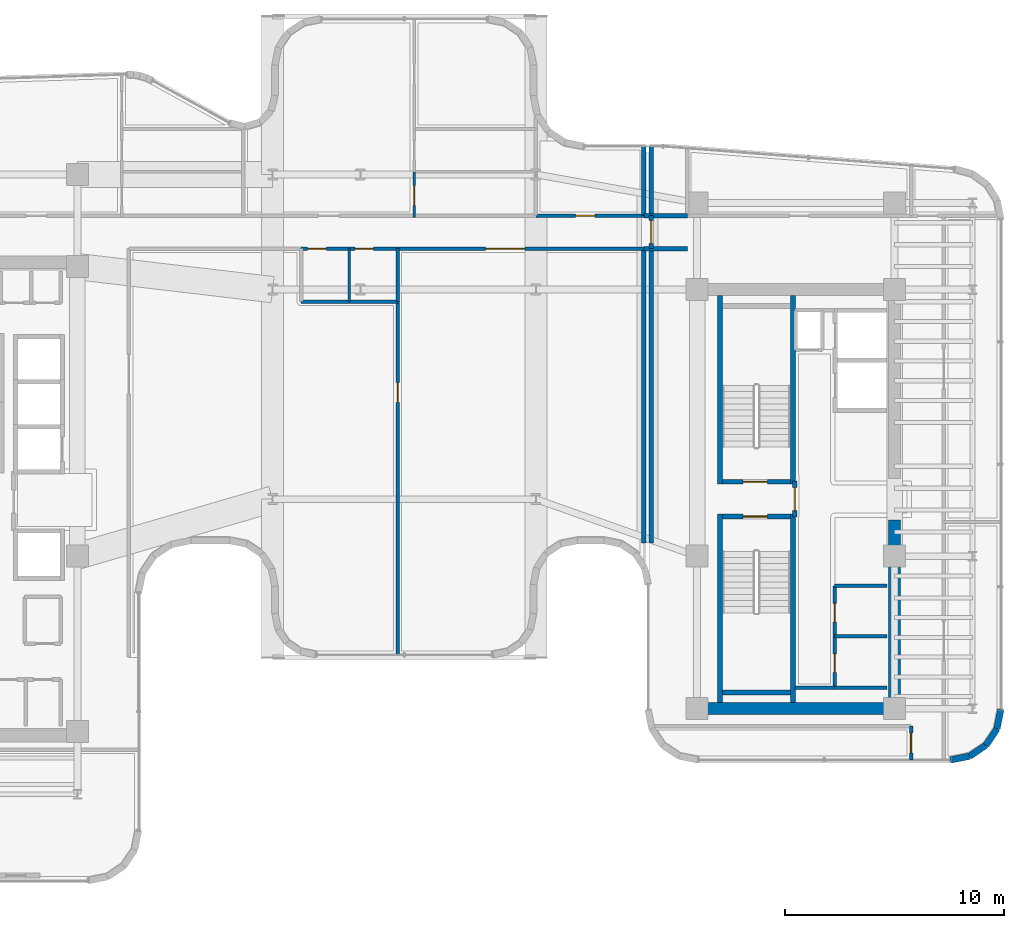
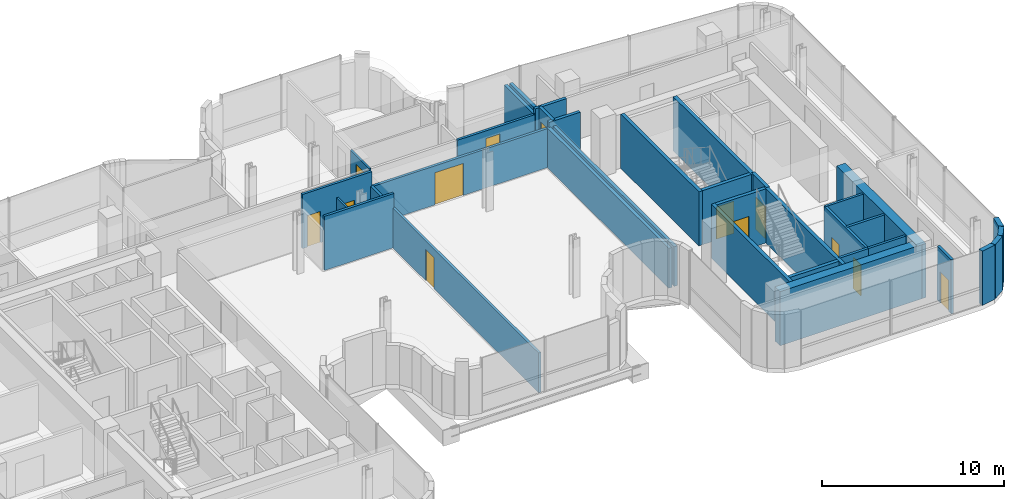
# One storey, part 30 of 39: 35 walls, 13 doors, 13 openings.
"""IFC4 building model written with IfcOpenShell, lengths in metres."""

from ifc_helpers import new_model, si_unit, direction, frame, frame_2d, origin, place, context, subcontext, project, spatial, rectangle, extrude, material, layer, layer_set, type_object, element, fill, save


model = new_model("IFC4")

# Units and contexts
model_context = context("Model", 3, precision=1e-05, world=origin(), true_north=direction((0.0, 1.0)))
body_context = subcontext(model_context, "Body", "Model", "MODEL_VIEW")
ifc_project = project(units=[si_unit("LENGTHUNIT", "METRE"), si_unit("AREAUNIT", "SQUARE_METRE"), si_unit("VOLUMEUNIT", "CUBIC_METRE"), si_unit("PLANEANGLEUNIT", "RADIAN"), si_unit("MASSUNIT", "GRAM", prefix="KILO")], contexts=[model_context])

# Site, building, storey
site_placement = place(None, origin())
site = spatial("IfcSite", under=ifc_project, at=site_placement, CompositionType="ELEMENT")
building_placement = place(site_placement, origin())
building = spatial("IfcBuilding", under=site, at=building_placement, Name="Valdorenza Pilgrim Sanctuary Tower", CompositionType="ELEMENT")
storey_placement = place(building_placement, frame((0.0, 0.0, 184.449951171875)))
storey = spatial("IfcBuildingStorey", under=building, at=storey_placement, Name="L47", CompositionType="ELEMENT", Elevation=184.449951171875)

# Wall
ifc_material_1 = material(Name="Acoustic twin-stud gypsum partition", Category="gypsum")
ifc_layer_1 = layer(ifc_material_1, 0.159912109375, Name="Acoustic twin-stud gypsum partition")
ifc_layer_set_1 = layer_set([ifc_layer_1], Name="Acoustic twin-stud gypsum partition")
wall_type_1 = type_object("IfcWallType", Name="WAL-COR-160", PredefinedType="PARTITIONING", material=ifc_layer_set_1)
wall_1_placement = place(storey_placement, frame((20.300048828125, -8.60009765625, 0.0), z_axis=(0.0, 0.0, 1.0), x_axis=(1.0, 0.0, 0.0)))
element("IfcWall", 1, at=wall_1_placement, inside=storey, type_object=wall_type_1, Name="L47 Core B Lift Hall South End Wall", PredefinedType="PARTITIONING", context=body_context, shape_type="SweptSolid", body=[
    extrude(rectangle(XDim=1.820068359375, YDim=0.159912109375, at=frame_2d((0.91015625, 0.0))), origin(), (0.0, 0.0, 1.0), 3.630126953125),
])

# Wall, openings, doors
wall_2_placement = place(storey_placement, frame((22.1201171875, -8.60009765625, 0.0), z_axis=(0.0, 0.0, 1.0), x_axis=(0.0, 1.0, 0.0)))
wall_2 = element("IfcWall", 2, at=wall_2_placement, inside=storey, type_object=wall_type_1, Name="L47 Core B Freed Shaft West Wall", PredefinedType="PARTITIONING", context=body_context, shape_type="SweptSolid", body=[
    extrude(rectangle(XDim=4.650146484375, YDim=0.159912109375, at=frame_2d((2.3251953125, 0.0))), origin(), (0.0, 0.0, 1.0), 3.630126953125),
])
opening_1_placement = place(wall_2_placement, frame((0.699951171875, 0.0, 0.0)))
opening_1 = element("IfcOpeningElement", 3, at=opening_1_placement, cuts=wall_2, Name="Opening DR-RS1", PredefinedType="OPENING", context=body_context, shape_type="SweptSolid", body=[
    extrude(rectangle(XDim=0.85009765625, YDim=2.050048828125, at=frame_2d((0.425048828125, 1.02490234375))), frame((0.0, 0.0947265625, 0.0), z_axis=(0.0, -1.0, 0.0), x_axis=(1.0, 0.0, 0.0)), (0.0, 0.0, 1.0), 0.189697265625),
])
opening_2_placement = place(wall_2_placement, frame((3.0, 0.0, 0.0)))
opening_2 = element("IfcOpeningElement", 4, at=opening_2_placement, cuts=wall_2, Name="Opening DR-RS1", PredefinedType="OPENING", context=body_context, shape_type="SweptSolid", body=[
    extrude(rectangle(XDim=0.85009765625, YDim=2.050048828125, at=frame_2d((0.425048828125, 1.02490234375))), frame((0.0, 0.0947265625, 0.0), z_axis=(0.0, -1.0, 0.0), x_axis=(1.0, 0.0, 0.0)), (0.0, 0.0, 1.0), 0.189697265625),
])
ifc_material_2 = material(Name="Painted galvanized steel", Category="steel")
door_type_1 = type_object("IfcDoorType", Name="DR-RSR-850", OperationType="NOTDEFINED", PredefinedType="DOOR", material=ifc_material_2)
door_1_placement = place(opening_1_placement, origin())
door_1 = element("IfcDoor", 5, at=door_1_placement, inside=storey, type_object=door_type_1, Name="L47 East Core Housekeeping Store Door", OperationType="SINGLE_SWING_RIGHT", OverallHeight=2.050048828125, OverallWidth=0.85009765625, PredefinedType="DOOR", context=body_context, shape_type="SweptSolid", body=[
    extrude(rectangle(XDim=0.85009765625, YDim=2.050048828125, at=frame_2d((0.425048828125, 1.02490234375))), frame((0.0, 0.02490234375, 0.0), z_axis=(0.0, -1.0, 0.0), x_axis=(1.0, 0.0, 0.0)), (0.0, 0.0, 1.0), 0.050048828125),
])
fill(opening_1, door_1)
door_2_placement = place(opening_2_placement, origin())
door_2 = element("IfcDoor", 6, at=door_2_placement, inside=storey, type_object=door_type_1, Name="L47 East Core Tea Pantry Door", OperationType="SINGLE_SWING_LEFT", OverallHeight=2.050048828125, OverallWidth=0.85009765625, PredefinedType="DOOR", context=body_context, shape_type="SweptSolid", body=[
    extrude(rectangle(XDim=0.85009765625, YDim=2.050048828125, at=frame_2d((0.425048828125, 1.02490234375))), frame((0.0, 0.02490234375, 0.0), z_axis=(0.0, -1.0, 0.0), x_axis=(1.0, 0.0, 0.0)), (0.0, 0.0, 1.0), 0.050048828125),
])
fill(opening_2, door_2)

# Wall
wall_3_placement = place(storey_placement, frame((22.1201171875, -6.25, 0.0), z_axis=(0.0, 0.0, 1.0), x_axis=(1.0, 0.0, 0.0)))
element("IfcWall", 7, at=wall_3_placement, inside=storey, type_object=wall_type_1, Name="L47 Core B Freed Split", PredefinedType="PARTITIONING", context=body_context, shape_type="SweptSolid", body=[
    extrude(rectangle(XDim=2.3798828125, YDim=0.159912109375, at=frame_2d((1.18994140625, 0.0))), origin(), (0.0, 0.0, 1.0), 3.630126953125),
])

# Wall, opening, door
wall_4_placement = place(storey_placement, frame((2.199951171875, 11.419921875, 0.0), z_axis=(0.0, 0.0, 1.0), x_axis=(1.0, 0.0, 0.0)))
wall_4 = element("IfcWall", 8, at=wall_4_placement, inside=storey, type_object=wall_type_1, Name="L47 Prayer Library North-East Corridor Wall", PredefinedType="PARTITIONING", context=body_context, shape_type="SweptSolid", body=[
    extrude(rectangle(XDim=11.219970703125, YDim=0.159912109375, at=frame_2d((5.60986328125, 0.0))), origin(), (0.0, 0.0, 1.0), 2.614990234375),
])
opening_3_placement = place(wall_4_placement, frame((4.0, 0.0, 0.0)))
opening_3 = element("IfcOpeningElement", 9, at=opening_3_placement, cuts=wall_4, Name="Opening DR-HL1", PredefinedType="OPENING", context=body_context, shape_type="SweptSolid", body=[
    extrude(rectangle(XDim=1.800048828125, YDim=2.14990234375, at=frame_2d((0.89990234375, 1.074951171875))), frame((0.0, 0.0947265625, 0.0), z_axis=(0.0, -1.0, 0.0), x_axis=(1.0, 0.0, 0.0)), (0.0, 0.0, 1.0), 0.189697265625),
])
ifc_material_3 = material(Name="Acoustic oak and vision-glass double door", Category="glass")
door_type_2 = type_object("IfcDoorType", Name="DR-HALL-1800", OperationType="NOTDEFINED", PredefinedType="DOOR", material=ifc_material_3)
door_3_placement = place(opening_3_placement, frame((1.800048828125, 0.0, 0.0), z_axis=(0.0, 0.0, 1.0), x_axis=(-1.0, 0.0, 0.0)))
door_3 = element("IfcDoor", 10, at=door_3_placement, inside=storey, type_object=door_type_2, Name="L47 Sacred Archive Reading Library Door", OperationType="DOUBLE_DOOR_SINGLE_SWING", OverallHeight=2.14990234375, OverallWidth=1.800048828125, PredefinedType="DOOR", context=body_context, shape_type="SweptSolid", body=[
    extrude(rectangle(XDim=1.800048828125, YDim=2.14990234375, at=frame_2d((0.89990234375, 1.074951171875))), frame((0.0, 0.02490234375, 0.0), z_axis=(0.0, -1.0, 0.0), x_axis=(1.0, 0.0, 0.0)), (0.0, 0.0, 1.0), 0.050048828125),
])
fill(opening_3, door_3)

# Walls
wall_5_placement = place(storey_placement, frame((2.199951171875, 9.0, 0.0), z_axis=(0.0, 0.0, 1.0), x_axis=(0.0, 1.0, 0.0)))
element("IfcWall", 11, at=wall_5_placement, inside=storey, type_object=wall_type_1, Name="L47 Washroom East Wall", PredefinedType="PARTITIONING", context=body_context, shape_type="SweptSolid", body=[
    extrude(rectangle(XDim=2.419921875, YDim=0.159912109375, at=frame_2d((1.2099609375, 0.0))), origin(), (0.0, 0.0, 1.0), 2.6650390625),
])
wall_6_placement = place(storey_placement, frame((-2.199951171875, 9.0, 0.0), z_axis=(0.0, 0.0, 1.0), x_axis=(1.0, 0.0, 0.0)))
element("IfcWall", 12, at=wall_6_placement, inside=storey, type_object=wall_type_1, Name="L47 Washroom South Wall", PredefinedType="PARTITIONING", context=body_context, shape_type="SweptSolid", body=[
    extrude(rectangle(XDim=4.39990234375, YDim=0.159912109375, at=frame_2d((2.199951171875, 0.0))), origin(), (0.0, 0.0, 1.0), 3.630126953125),
])

# Wall, openings, doors
wall_7_placement = place(storey_placement, frame((-2.199951171875, 11.419921875, 0.0), z_axis=(0.0, 0.0, 1.0), x_axis=(1.0, 0.0, 0.0)))
wall_7 = element("IfcWall", 13, at=wall_7_placement, inside=storey, type_object=wall_type_1, Name="L47 Washroom North Wall", PredefinedType="PARTITIONING", context=body_context, shape_type="SweptSolid", body=[
    extrude(rectangle(XDim=4.39990234375, YDim=0.159912109375, at=frame_2d((2.199951171875, 0.0))), origin(), (0.0, 0.0, 1.0), 3.630126953125),
])
opening_4_placement = place(wall_7_placement, frame((0.300048828125, 0.0, 0.0)))
opening_4 = element("IfcOpeningElement", 14, at=opening_4_placement, cuts=wall_7, Name="Opening DR-WC1", PredefinedType="OPENING", context=body_context, shape_type="SweptSolid", body=[
    extrude(rectangle(XDim=0.85009765625, YDim=2.10009765625, at=frame_2d((0.425048828125, 1.050048828125))), frame((0.0, 0.0947265625, 0.0), z_axis=(0.0, -1.0, 0.0), x_axis=(1.0, 0.0, 0.0)), (0.0, 0.0, 1.0), 0.189697265625),
])
opening_5_placement = place(wall_7_placement, frame((2.449951171875, 0.0, 0.0)))
opening_5 = element("IfcOpeningElement", 15, at=opening_5_placement, cuts=wall_7, Name="Opening DR-WC1", PredefinedType="OPENING", context=body_context, shape_type="SweptSolid", body=[
    extrude(rectangle(XDim=0.85009765625, YDim=2.10009765625, at=frame_2d((0.425048828125, 1.050048828125))), frame((0.0, 0.0947265625, 0.0), z_axis=(0.0, -1.0, 0.0), x_axis=(1.0, 0.0, 0.0)), (0.0, 0.0, 1.0), 0.189697265625),
])
ifc_material_4 = material(Name="Moisture-resistant lacquered timber", Category="wood")
door_type_3 = type_object("IfcDoorType", Name="DR-BATH-850", OperationType="NOTDEFINED", PredefinedType="DOOR", material=ifc_material_4)
door_4_placement = place(opening_4_placement, origin())
door_4 = element("IfcDoor", 16, at=door_4_placement, inside=storey, type_object=door_type_3, Name="L47 Accessible Washroom Door", OperationType="SINGLE_SWING_LEFT", OverallHeight=2.10009765625, OverallWidth=0.85009765625, PredefinedType="DOOR", context=body_context, shape_type="SweptSolid", body=[
    extrude(rectangle(XDim=0.85009765625, YDim=2.10009765625, at=frame_2d((0.425048828125, 1.050048828125))), frame((0.0, 0.02490234375, 0.0), z_axis=(0.0, -1.0, 0.0), x_axis=(1.0, 0.0, 0.0)), (0.0, 0.0, 1.0), 0.050048828125),
])
fill(opening_4, door_4)
door_5_placement = place(opening_5_placement, origin())
door_5 = element("IfcDoor", 17, at=door_5_placement, inside=storey, type_object=door_type_3, Name="L47 Public Washroom Door", OperationType="SINGLE_SWING_RIGHT", OverallHeight=2.10009765625, OverallWidth=0.85009765625, PredefinedType="DOOR", context=body_context, shape_type="SweptSolid", body=[
    extrude(rectangle(XDim=0.85009765625, YDim=2.10009765625, at=frame_2d((0.425048828125, 1.050048828125))), frame((0.0, 0.02490234375, 0.0), z_axis=(0.0, -1.0, 0.0), x_axis=(1.0, 0.0, 0.0)), (0.0, 0.0, 1.0), 0.050048828125),
])
fill(opening_5, door_5)

# Wall, opening, door
wall_8_placement = place(storey_placement, frame((8.5, 12.919921875, 0.0), z_axis=(0.0, 0.0, 1.0), x_axis=(1.0, 0.0, 0.0)))
wall_8 = element("IfcWall", 18, at=wall_8_placement, inside=storey, type_object=wall_type_1, Name="L47 North-East Prayer Salon Corridor Wall", PredefinedType="PARTITIONING", context=body_context, shape_type="SweptSolid", body=[
    extrude(rectangle(XDim=4.919921875, YDim=0.159912109375, at=frame_2d((2.4599609375, 0.0))), origin(), (0.0, 0.0, 1.0), 2.614990234375),
])
opening_6_placement = place(wall_8_placement, frame((1.800048828125, 0.0, 0.0)))
opening_6 = element("IfcOpeningElement", 19, at=opening_6_placement, cuts=wall_8, Name="Opening DR-RM1", PredefinedType="OPENING", context=body_context, shape_type="SweptSolid", body=[
    extrude(rectangle(XDim=0.89990234375, YDim=2.10009765625, at=frame_2d((0.449951171875, 1.050048828125))), frame((0.0, 0.0947265625, 0.0), z_axis=(0.0, -1.0, 0.0), x_axis=(1.0, 0.0, 0.0)), (0.0, 0.0, 1.0), 0.189697265625),
])
ifc_material_5 = material(Name="Solid-core European oak timber", Category="wood")
door_type_4 = type_object("IfcDoorType", Name="DR-ROOM-900", OperationType="NOTDEFINED", PredefinedType="DOOR", material=ifc_material_5)
door_6_placement = place(opening_6_placement, frame((0.89990234375, 0.0, 0.0), z_axis=(0.0, 0.0, 1.0), x_axis=(-1.0, 0.0, 0.0)))
door_6 = element("IfcDoor", 20, at=door_6_placement, inside=storey, type_object=door_type_4, Name="L47 North-East Contemplation Salon Door", OperationType="SINGLE_SWING_LEFT", OverallHeight=2.10009765625, OverallWidth=0.89990234375, PredefinedType="DOOR", context=body_context, shape_type="SweptSolid", body=[
    extrude(rectangle(XDim=0.89990234375, YDim=2.10009765625, at=frame_2d((0.449951171875, 1.050048828125))), frame((0.0, 0.02490234375, 0.0), z_axis=(0.0, -1.0, 0.0), x_axis=(1.0, 0.0, 0.0)), (0.0, 0.0, 1.0), 0.050048828125),
])
fill(opening_6, door_6)

wall_9_placement = place(storey_placement, frame((25.60009765625, -11.889892578125, 0.0), z_axis=(0.0, 0.0, 1.0), x_axis=(0.0, 1.0, 0.0)))
wall_9 = element("IfcWall", 21, at=wall_9_placement, inside=storey, type_object=wall_type_1, Name="L47 Wing B South-East Wall", PredefinedType="PARTITIONING", context=body_context, shape_type="SweptSolid", body=[
    extrude(rectangle(XDim=1.539794921875, YDim=0.159912109375, at=frame_2d((0.77001953125, 0.0))), origin(), (0.0, 0.0, 1.0), 3.630126953125),
])
opening_7_placement = place(wall_9_placement, frame((0.320068359375, 0.0, 0.0)))
opening_7 = element("IfcOpeningElement", 22, at=opening_7_placement, cuts=wall_9, Name="Opening DR-RM1", PredefinedType="OPENING", context=body_context, shape_type="SweptSolid", body=[
    extrude(rectangle(XDim=0.89990234375, YDim=2.10009765625, at=frame_2d((0.449951171875, 1.050048828125))), frame((0.0, 0.0947265625, 0.0), z_axis=(0.0, -1.0, 0.0), x_axis=(1.0, 0.0, 0.0)), (0.0, 0.0, 1.0), 0.189697265625),
])
door_7_placement = place(opening_7_placement, frame((0.89990234375, 0.0, 0.0), z_axis=(0.0, 0.0, 1.0), x_axis=(-1.0, 0.0, 0.0)))
door_7 = element("IfcDoor", 23, at=door_7_placement, inside=storey, type_object=door_type_4, Name="L47 Sacred Manuscript Archive L47-BS Door", OperationType="SINGLE_SWING_LEFT", OverallHeight=2.10009765625, OverallWidth=0.89990234375, PredefinedType="DOOR", context=body_context, shape_type="SweptSolid", body=[
    extrude(rectangle(XDim=0.89990234375, YDim=2.10009765625, at=frame_2d((0.449951171875, 1.050048828125))), frame((0.0, 0.02490234375, 0.0), z_axis=(0.0, -1.0, 0.0), x_axis=(1.0, 0.0, 0.0)), (0.0, 0.0, 1.0), 0.050048828125),
])
fill(opening_7, door_7)

# Walls
ifc_material_6 = material(Name="Concrete C50/60", Category="concrete")
ifc_layer_2 = layer(ifc_material_6, 0.550048828125, Name="Concrete C50/60")
ifc_layer_set_2 = layer_set([ifc_layer_2], Name="Concrete C50/60")
wall_type_2 = type_object("IfcWallType", Name="WAL-COR-550", PredefinedType="SHEAR", material=ifc_layer_set_2)
wall_10_placement = place(storey_placement, frame((24.85009765625, -9.824951171875, 0.0), z_axis=(0.0, 0.0, 1.0), x_axis=(0.0, 1.0, 0.0)))
element("IfcWall", 24, at=wall_10_placement, inside=storey, type_object=wall_type_2, Name="L47 Split Core B Shear Wall ES", PredefinedType="SHEAR", context=body_context, shape_type="SweptSolid", body=[
    extrude(rectangle(XDim=8.875, YDim=0.550048828125, at=frame_2d((4.4375, 0.0))), origin(), (0.0, 0.0, 1.0), 3.630126953125),
])
wall_11_placement = place(storey_placement, frame((15.85009765625, -9.550048828125, 0.0), z_axis=(0.0, 0.0, 1.0), x_axis=(1.0, 0.0, 0.0)))
element("IfcWall", 25, at=wall_11_placement, inside=storey, type_object=wall_type_2, Name="L47 Split Core B Shear Wall S", PredefinedType="SHEAR", context=body_context, shape_type="SweptSolid", body=[
    extrude(rectangle(XDim=9.0, YDim=0.550048828125, at=frame_2d((4.5, 0.0))), origin(), (0.0, 0.0, 1.0), 3.630126953125),
])
ifc_material_7 = material(Name="Honed travertine limestone", Category="masonry")
ifc_layer_3 = layer(ifc_material_7, 0.300048828125, Name="Honed travertine limestone")
ifc_layer_set_3 = layer_set([ifc_layer_3], Name="Honed travertine limestone")
wall_type_3 = type_object("IfcWallType", Name="WAL-EXT-300", PredefinedType="SOLIDWALL", material=ifc_layer_set_3)
wall_12_placement = place(storey_placement, frame((29.68994140625, -9.589111328125, 0.0), z_axis=(0.0, 0.0, 1.0), x_axis=(-0.195025152871, -0.980798241101, 0.0)))
element("IfcWall", 26, at=wall_12_placement, inside=storey, type_object=wall_type_3, Name="L47 Rounded Wind-Corner Stone Pier 38", PredefinedType="SOLIDWALL", context=body_context, shape_type="SweptSolid", body=[
    extrude(rectangle(XDim=0.90380859375, YDim=0.300048828125, at=frame_2d((0.451904296875, 0.0))), origin(), (0.0, 0.0, 1.0), 3.630126953125),
])
wall_13_placement = place(storey_placement, frame((29.513671875, -10.4755859375, 0.0), z_axis=(0.0, 0.0, 1.0), x_axis=(-0.555520488502, -0.831502848374, 0.0)))
element("IfcWall", 27, at=wall_13_placement, inside=storey, type_object=wall_type_3, Name="L47 Rounded Wind-Corner Stone Pier 39", PredefinedType="SOLIDWALL", context=body_context, shape_type="SweptSolid", body=[
    extrude(rectangle(XDim=0.892578125, YDim=0.300048828125, at=frame_2d((0.4462890625, 0.0))), origin(), (0.0, 0.0, 1.0), 3.630126953125),
])
wall_14_placement = place(storey_placement, frame((29.017822265625, -11.2177734375, 0.0), z_axis=(0.0, 0.0, 1.0), x_axis=(-0.83158722889, -0.555394167009, 0.0)))
element("IfcWall", 28, at=wall_14_placement, inside=storey, type_object=wall_type_3, Name="L47 Rounded Wind-Corner Stone Pier 40", PredefinedType="SOLIDWALL", context=body_context, shape_type="SweptSolid", body=[
    extrude(rectangle(XDim=0.892822265625, YDim=0.300048828125, at=frame_2d((0.4462890625, 0.0))), origin(), (0.0, 0.0, 1.0), 3.630126953125),
])
wall_15_placement = place(storey_placement, frame((28.275390625, -11.713623046875, 0.0), z_axis=(0.0, 0.0, 1.0), x_axis=(-0.980787963133, -0.19507683454, 0.0)))
element("IfcWall", 29, at=wall_15_placement, inside=storey, type_object=wall_type_3, Name="L47 Rounded Wind-Corner Stone Pier 41", PredefinedType="SOLIDWALL", context=body_context, shape_type="SweptSolid", body=[
    extrude(rectangle(XDim=0.903564453125, YDim=0.300048828125, at=frame_2d((0.45166015625, 0.0))), origin(), (0.0, 0.0, 1.0), 3.630126953125),
])

# Wall, opening, door
ifc_material_8 = material(Name="Gypsum shaftwall partition", Category="gypsum")
ifc_layer_4 = layer(ifc_material_8, 0.199951171875, Name="Gypsum shaftwall partition")
ifc_layer_set_4 = layer_set([ifc_layer_4], Name="Gypsum shaftwall partition")
wall_type_4 = type_object("IfcWallType", Name="WAL-FFL-200", PredefinedType="PARTITIONING", material=ifc_layer_set_4)
wall_16_placement = place(storey_placement, frame((20.300048828125, -0.820068359375, 0.0), z_axis=(0.0, 0.0, 1.0), x_axis=(0.0, 1.0, 0.0)))
wall_16 = element("IfcWall", 30, at=wall_16_placement, inside=storey, type_object=wall_type_4, Name="L47 Core B Firefighting Lobby East Wall", PredefinedType="PARTITIONING", context=body_context, shape_type="SweptSolid", body=[
    extrude(rectangle(XDim=1.64013671875, YDim=0.199951171875, at=frame_2d((0.820068359375, 0.0))), origin(), (0.0, 0.0, 1.0), 3.630126953125),
])
opening_8_placement = place(wall_16_placement, frame((0.294921875, 0.0, 0.0)))
opening_8 = element("IfcOpeningElement", 31, at=opening_8_placement, cuts=wall_16, Name="Opening DR-FL1", PredefinedType="OPENING", context=body_context, shape_type="SweptSolid", body=[
    extrude(rectangle(XDim=1.050048828125, YDim=2.14990234375, at=frame_2d((0.52490234375, 1.074951171875))), frame((0.0, 0.11474609375, 0.0), z_axis=(0.0, -1.0, 0.0), x_axis=(1.0, 0.0, 0.0)), (0.0, 0.0, 1.0), 0.229736328125),
])
door_type_5 = type_object("IfcDoorType", Name="DR-FFL-1050", OperationType="NOTDEFINED", PredefinedType="DOOR", material=ifc_material_2)
door_8_placement = place(opening_8_placement, origin())
door_8 = element("IfcDoor", 32, at=door_8_placement, inside=storey, type_object=door_type_5, Name="L47 Core B Firefighting Lobby Door", OperationType="SINGLE_SWING_RIGHT", OverallHeight=2.14990234375, OverallWidth=1.050048828125, PredefinedType="DOOR", context=body_context, shape_type="SweptSolid", body=[
    extrude(rectangle(XDim=1.050048828125, YDim=2.14990234375, at=frame_2d((0.52490234375, 1.074951171875))), frame((0.0, 0.02490234375, 0.0), z_axis=(0.0, -1.0, 0.0), x_axis=(1.0, 0.0, 0.0)), (0.0, 0.0, 1.0), 0.050048828125),
])
fill(opening_8, door_8)

# Walls
for number, where, z_axis, x_axis, name in (
    (33, (13.419921875, -2.0, 0.0), (0.0, 0.0, 1.0), (0.0, 1.0, 0.0), "L47 Prayer Bar Joint West Wall"),
    (34, (13.760009765625, -2.0, 0.0), (0.0, 0.0, 1.0), (0.0, 1.0, 0.0), "L47 Wing B Joint East Wall"),
):
    element("IfcWall", number, at=place(storey_placement, frame(where, z_axis=z_axis, x_axis=x_axis)), inside=storey, type_object=wall_type_4, Name=name, PredefinedType="PARTITIONING", context=body_context, shape_type="SweptSolid", body=[
        extrude(rectangle(XDim=13.419921875, YDim=0.199951171875, at=frame_2d((6.7099609375, 0.0))), origin(), (0.0, 0.0, 1.0), 2.6650390625),
    ])
for number, where, z_axis, x_axis, name in (
    (35, (13.419921875, 12.919921875, 0.0), (0.0, 0.0, 1.0), (0.0, 1.0, 0.0), "L47 North-East Joint West Wall"),
    (36, (13.760009765625, 12.919921875, 0.0), (0.0, 0.0, 1.0), (0.0, 1.0, 0.0), "L47 North-East Joint East Wall"),
):
    element("IfcWall", number, at=place(storey_placement, frame(where, z_axis=z_axis, x_axis=x_axis)), inside=storey, type_object=wall_type_4, Name=name, PredefinedType="PARTITIONING", context=body_context, shape_type="SweptSolid", body=[
        extrude(rectangle(XDim=3.170166015625, YDim=0.199951171875, at=frame_2d((1.5849609375, 0.0))), origin(), (0.0, 0.0, 1.0), 2.6650390625),
    ])
for number, where, z_axis, x_axis, name in (
    (37, (13.419921875, 12.919921875, 0.0), (0.0, 0.0, 1.0), (1.0, 0.0, 0.0), "L47 L47 Bridge Joint Corridor North Wall"),
    (38, (13.419921875, 11.419921875, 0.0), (0.0, 0.0, 1.0), (1.0, 0.0, 0.0), "L47 L47 Bridge Joint Corridor South Wall"),
):
    element("IfcWall", number, at=place(storey_placement, frame(where, z_axis=z_axis, x_axis=x_axis)), inside=storey, type_object=wall_type_4, Name=name, PredefinedType="PARTITIONING", context=body_context, shape_type="SweptSolid", body=[
        extrude(rectangle(XDim=1.97998046875, YDim=0.199951171875, at=frame_2d((0.989990234375, 0.0))), origin(), (0.0, 0.0, 1.0), 3.004150390625),
    ])

# Wall, opening, door
wall_17_placement = place(storey_placement, frame((13.760009765625, 11.419921875, 0.0), z_axis=(0.0, 0.0, 1.0), x_axis=(0.0, 1.0, 0.0)))
wall_17 = element("IfcWall", 39, at=wall_17_placement, inside=storey, type_object=wall_type_4, Name="L47 L47 Bridge Joint Threshold Fire Wall", PredefinedType="PARTITIONING", context=body_context, shape_type="SweptSolid", body=[
    extrude(rectangle(XDim=1.5, YDim=0.199951171875, at=frame_2d((0.75, 0.0))), origin(), (0.0, 0.0, 1.0), 3.004150390625),
])
opening_9_placement = place(wall_17_placement, frame((0.22509765625, 0.0, 0.0)))
opening_9 = element("IfcOpeningElement", 40, at=opening_9_placement, cuts=wall_17, Name="Opening DR-FL1", PredefinedType="OPENING", context=body_context, shape_type="SweptSolid", body=[
    extrude(rectangle(XDim=1.050048828125, YDim=2.14990234375, at=frame_2d((0.52490234375, 1.074951171875))), frame((0.0, 0.11474609375, 0.0), z_axis=(0.0, -1.0, 0.0), x_axis=(1.0, 0.0, 0.0)), (0.0, 0.0, 1.0), 0.229736328125),
])
door_9_placement = place(opening_9_placement, origin())
door_9 = element("IfcDoor", 41, at=door_9_placement, inside=storey, type_object=door_type_5, Name="L47 L47 Bridge Movement-Joint Threshold Door", OperationType="SINGLE_SWING_LEFT", OverallHeight=2.14990234375, OverallWidth=1.050048828125, PredefinedType="DOOR", context=body_context, shape_type="SweptSolid", body=[
    extrude(rectangle(XDim=1.050048828125, YDim=2.14990234375, at=frame_2d((0.52490234375, 1.074951171875))), frame((0.0, 0.02490234375, 0.0), z_axis=(0.0, -1.0, 0.0), x_axis=(1.0, 0.0, 0.0)), (0.0, 0.0, 1.0), 0.050048828125),
])
fill(opening_9, door_9)

ifc_material_9 = material(Name="Moisture-resistant gypsum partition", Category="gypsum")
ifc_layer_5 = layer(ifc_material_9, 0.1201171875, Name="Moisture-resistant gypsum partition")
ifc_layer_set_5 = layer_set([ifc_layer_5], Name="Moisture-resistant gypsum partition")
wall_type_5 = type_object("IfcWallType", Name="WAL-INT-120", PredefinedType="PARTITIONING", material=ifc_layer_set_5)
wall_18_placement = place(storey_placement, frame((2.9501953125, 12.840087890625, 0.0), z_axis=(0.0, 0.0, 1.0), x_axis=(0.0, 1.0, 0.0)))
wall_18 = element("IfcWall", 42, at=wall_18_placement, inside=storey, type_object=wall_type_5, Name="L47 North Family Flat L47-N3 Kitchen Door Wall", PredefinedType="PARTITIONING", context=body_context, shape_type="SweptSolid", body=[
    extrude(rectangle(XDim=2.079833984375, YDim=0.1201171875, at=frame_2d((1.0400390625, 0.0))), origin(), (0.0, 0.0, 1.0), 2.6650390625),
])
opening_10_placement = place(wall_18_placement, frame((0.550048828125, 0.0, 0.0)))
opening_10 = element("IfcOpeningElement", 43, at=opening_10_placement, cuts=wall_18, Name="Opening DR-RM1", PredefinedType="OPENING", context=body_context, shape_type="SweptSolid", body=[
    extrude(rectangle(XDim=0.89990234375, YDim=2.10009765625, at=frame_2d((0.449951171875, 1.050048828125))), frame((0.0, 0.074951171875, 0.0), z_axis=(0.0, -1.0, 0.0), x_axis=(1.0, 0.0, 0.0)), (0.0, 0.0, 1.0), 0.14990234375),
])
door_10_placement = place(opening_10_placement, origin())
door_10 = element("IfcDoor", 44, at=door_10_placement, inside=storey, type_object=door_type_4, Name="L47 North Family Flat L47-N3 Kitchen Door", OperationType="SINGLE_SWING_RIGHT", OverallHeight=2.10009765625, OverallWidth=0.89990234375, PredefinedType="DOOR", context=body_context, shape_type="SweptSolid", body=[
    extrude(rectangle(XDim=0.89990234375, YDim=2.10009765625, at=frame_2d((0.449951171875, 1.050048828125))), frame((0.0, 0.02490234375, 0.0), z_axis=(0.0, -1.0, 0.0), x_axis=(1.0, 0.0, 0.0)), (0.0, 0.0, 1.0), 0.050048828125),
])
fill(opening_10, door_10)

# Walls
wall_19_placement = place(storey_placement, frame((0.0, 9.0, 0.0), z_axis=(0.0, 0.0, 1.0), x_axis=(0.0, 1.0, 0.0)))
element("IfcWall", 45, at=wall_19_placement, inside=storey, type_object=wall_type_5, Name="L47 Washroom Divider Wall", PredefinedType="PARTITIONING", context=body_context, shape_type="SweptSolid", body=[
    extrude(rectangle(XDim=2.419921875, YDim=0.1201171875, at=frame_2d((1.2099609375, 0.0))), origin(), (0.0, 0.0, 1.0), 2.6650390625),
])
ifc_material_10 = material(Name="Concrete C40/50", Category="concrete")
ifc_layer_6 = layer(ifc_material_10, 0.219970703125, Name="Concrete C40/50")
ifc_layer_set_6 = layer_set([ifc_layer_6], Name="Concrete C40/50")
wall_type_6 = type_object("IfcWallType", Name="WAL-STR-SHF-220", PredefinedType="SHEAR", material=ifc_layer_set_6)
for number, where, z_axis, x_axis, name in (
    (46, (16.889892578125, 0.679931640625, 0.0), (0.0, 0.0, 1.0), (0.0, 1.0, 0.0), "L47 ST-B1 Structural Stairwell Wall W"),
    (47, (20.219970703125, 0.679931640625, 0.0), (0.0, 0.0, 1.0), (0.0, 1.0, 0.0), "L47 ST-B1 Structural Stairwell Wall E"),
):
    element("IfcWall", number, at=place(storey_placement, frame(where, z_axis=z_axis, x_axis=x_axis)), inside=storey, type_object=wall_type_6, Name=name, PredefinedType="SHEAR", context=body_context, shape_type="SweptSolid", body=[
        extrude(rectangle(XDim=8.594970703125, YDim=0.219970703125, at=frame_2d((4.29736328125, 0.0))), origin(), (0.0, 0.0, 1.0), 3.630126953125),
    ])

# Wall, opening, door
wall_20_placement = place(storey_placement, frame((17.0, 0.7900390625, 0.0), z_axis=(0.0, 0.0, 1.0), x_axis=(1.0, 0.0, 0.0)))
wall_20 = element("IfcWall", 48, at=wall_20_placement, inside=storey, type_object=wall_type_6, Name="L47 ST-B1 Structural Stairwell Wall S", PredefinedType="SHEAR", context=body_context, shape_type="SweptSolid", body=[
    extrude(rectangle(XDim=3.110107421875, YDim=0.219970703125, at=frame_2d((1.55517578125, 0.0))), origin(), (0.0, 0.0, 1.0), 3.630126953125),
])
opening_11_placement = place(wall_20_placement, frame((0.949951171875, 0.0, 0.0)))
opening_11 = element("IfcOpeningElement", 49, at=opening_11_placement, cuts=wall_20, Name="Opening DR-ST1", PredefinedType="OPENING", context=body_context, shape_type="SweptSolid", body=[
    extrude(rectangle(XDim=1.10009765625, YDim=2.14990234375, at=frame_2d((0.550048828125, 1.074951171875))), frame((0.0, 0.125, 0.0), z_axis=(0.0, -1.0, 0.0), x_axis=(1.0, 0.0, 0.0)), (0.0, 0.0, 1.0), 0.249755859375),
])
door_type_6 = type_object("IfcDoorType", Name="DR-STAIR-1100", OperationType="NOTDEFINED", PredefinedType="DOOR", material=ifc_material_2)
door_11_placement = place(opening_11_placement, frame((1.10009765625, 0.0, 0.0), z_axis=(0.0, 0.0, 1.0), x_axis=(-1.0, 0.0, 0.0)))
door_11 = element("IfcDoor", 50, at=door_11_placement, inside=storey, type_object=door_type_6, Name="L47 Exit Stair ST-B1 Door", OperationType="SINGLE_SWING_LEFT", OverallHeight=2.14990234375, OverallWidth=1.10009765625, PredefinedType="DOOR", context=body_context, shape_type="SweptSolid", body=[
    extrude(rectangle(XDim=1.10009765625, YDim=2.14990234375, at=frame_2d((0.550048828125, 1.074951171875))), frame((0.0, 0.02490234375, 0.0), z_axis=(0.0, -1.0, 0.0), x_axis=(1.0, 0.0, 0.0)), (0.0, 0.0, 1.0), 0.050048828125),
])
fill(opening_11, door_11)

# Walls
for number, where, z_axis, x_axis, name in (
    (51, (16.889892578125, -9.27490234375, 0.0), (0.0, 0.0, 1.0), (0.0, 1.0, 0.0), "L47 ST-B2 Structural Stairwell Wall W"),
    (52, (20.219970703125, -9.27490234375, 0.0), (0.0, 0.0, 1.0), (0.0, 1.0, 0.0), "L47 ST-B2 Structural Stairwell Wall E"),
):
    element("IfcWall", number, at=place(storey_placement, frame(where, z_axis=z_axis, x_axis=x_axis)), inside=storey, type_object=wall_type_6, Name=name, PredefinedType="SHEAR", context=body_context, shape_type="SweptSolid", body=[
        extrude(rectangle(XDim=8.594970703125, YDim=0.219970703125, at=frame_2d((4.29736328125, 0.0))), origin(), (0.0, 0.0, 1.0), 3.630126953125),
    ])
wall_21_placement = place(storey_placement, frame((17.0, -8.81005859375, 0.0), z_axis=(0.0, 0.0, 1.0), x_axis=(1.0, 0.0, 0.0)))
element("IfcWall", 53, at=wall_21_placement, inside=storey, type_object=wall_type_6, Name="L47 ST-B2 Structural Stairwell Wall S", PredefinedType="SHEAR", context=body_context, shape_type="SweptSolid", body=[
    extrude(rectangle(XDim=3.110107421875, YDim=0.219970703125, at=frame_2d((1.55517578125, 0.0))), origin(), (0.0, 0.0, 1.0), 3.630126953125),
])

# Wall, opening, door
wall_22_placement = place(storey_placement, frame((17.0, -0.7900390625, 0.0), z_axis=(0.0, 0.0, 1.0), x_axis=(1.0, 0.0, 0.0)))
wall_22 = element("IfcWall", 54, at=wall_22_placement, inside=storey, type_object=wall_type_6, Name="L47 ST-B2 Structural Stairwell Wall N", PredefinedType="SHEAR", context=body_context, shape_type="SweptSolid", body=[
    extrude(rectangle(XDim=3.110107421875, YDim=0.219970703125, at=frame_2d((1.55517578125, 0.0))), origin(), (0.0, 0.0, 1.0), 3.630126953125),
])
opening_12_placement = place(wall_22_placement, frame((0.949951171875, 0.0, 0.0)))
opening_12 = element("IfcOpeningElement", 55, at=opening_12_placement, cuts=wall_22, Name="Opening DR-ST1", PredefinedType="OPENING", context=body_context, shape_type="SweptSolid", body=[
    extrude(rectangle(XDim=1.10009765625, YDim=2.14990234375, at=frame_2d((0.550048828125, 1.074951171875))), frame((0.0, 0.125, 0.0), z_axis=(0.0, -1.0, 0.0), x_axis=(1.0, 0.0, 0.0)), (0.0, 0.0, 1.0), 0.249755859375),
])
door_12_placement = place(opening_12_placement, origin())
door_12 = element("IfcDoor", 56, at=door_12_placement, inside=storey, type_object=door_type_6, Name="L47 Exit Stair ST-B2 Door", OperationType="SINGLE_SWING_RIGHT", OverallHeight=2.14990234375, OverallWidth=1.10009765625, PredefinedType="DOOR", context=body_context, shape_type="SweptSolid", body=[
    extrude(rectangle(XDim=1.10009765625, YDim=2.14990234375, at=frame_2d((0.550048828125, 1.074951171875))), frame((0.0, 0.02490234375, 0.0), z_axis=(0.0, -1.0, 0.0), x_axis=(1.0, 0.0, 0.0)), (0.0, 0.0, 1.0), 0.050048828125),
])
fill(opening_12, door_12)

# Walls
ifc_layer_7 = layer(ifc_material_1, 0.14990234375, Name="Acoustic twin-stud gypsum partition")
ifc_layer_set_7 = layer_set([ifc_layer_7], Name="Acoustic twin-stud gypsum partition")
wall_type_7 = type_object("IfcWallType", Name="WAL-UNT-150", PredefinedType="PARTITIONING", material=ifc_layer_set_7)
for number, where, z_axis, x_axis, name in (
    (57, (22.1201171875, -3.949951171875, 0.0), (0.0, 0.0, 1.0), (1.0, 0.0, 0.0), "L47 Core B Freed Shaft North Wall"),
    (58, (22.1201171875, -8.60009765625, 0.0), (0.0, 0.0, 1.0), (1.0, 0.0, 0.0), "L47 Core B Freed Shaft South Wall"),
):
    element("IfcWall", number, at=place(storey_placement, frame(where, z_axis=z_axis, x_axis=x_axis)), inside=storey, type_object=wall_type_7, Name=name, PredefinedType="PARTITIONING", context=body_context, shape_type="SweptSolid", body=[
        extrude(rectangle(XDim=2.3798828125, YDim=0.14990234375, at=frame_2d((1.18994140625, 0.0))), origin(), (0.0, 0.0, 1.0), 3.630126953125),
    ])

# Wall, opening, door
wall_23_placement = place(storey_placement, frame((2.199951171875, -7.090087890625, 0.0), z_axis=(0.0, 0.0, 1.0), x_axis=(0.0, 1.0, 0.0)))
wall_23 = element("IfcWall", 59, at=wall_23_placement, inside=storey, type_object=wall_type_7, Name="L47 Prayer Hall East Library Split", PredefinedType="PARTITIONING", context=body_context, shape_type="SweptSolid", body=[
    extrude(rectangle(XDim=16.090087890625, YDim=0.14990234375, at=frame_2d((8.044921875, 0.0))), origin(), (0.0, 0.0, 1.0), 2.6650390625),
])
opening_13_placement = place(wall_23_placement, frame((11.5, 0.0, 0.0)))
opening_13 = element("IfcOpeningElement", 60, at=opening_13_placement, cuts=wall_23, Name="Opening DR-RM1", PredefinedType="OPENING", context=body_context, shape_type="SweptSolid", body=[
    extrude(rectangle(XDim=0.89990234375, YDim=2.10009765625, at=frame_2d((0.449951171875, 1.050048828125))), frame((0.0, 0.08984375, 0.0), z_axis=(0.0, -1.0, 0.0), x_axis=(1.0, 0.0, 0.0)), (0.0, 0.0, 1.0), 0.1796875),
])
door_13_placement = place(opening_13_placement, origin())
door_13 = element("IfcDoor", 61, at=door_13_placement, inside=storey, type_object=door_type_4, Name="L47 Prayer Hall Library Door", OperationType="SINGLE_SWING_RIGHT", OverallHeight=2.10009765625, OverallWidth=0.89990234375, PredefinedType="DOOR", context=body_context, shape_type="SweptSolid", body=[
    extrude(rectangle(XDim=0.89990234375, YDim=2.10009765625, at=frame_2d((0.449951171875, 1.050048828125))), frame((0.0, 0.02490234375, 0.0), z_axis=(0.0, -1.0, 0.0), x_axis=(1.0, 0.0, 0.0)), (0.0, 0.0, 1.0), 0.050048828125),
])
fill(opening_13, door_13)

save(model, "model.ifc")
